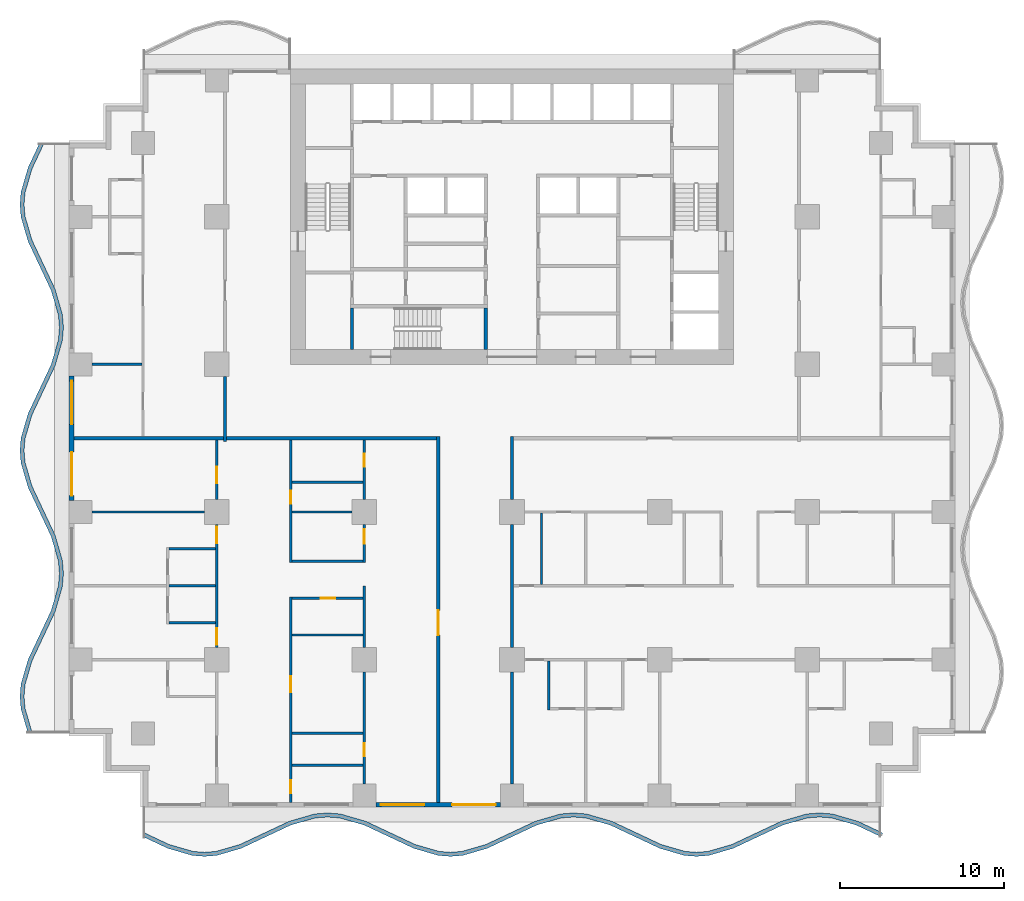
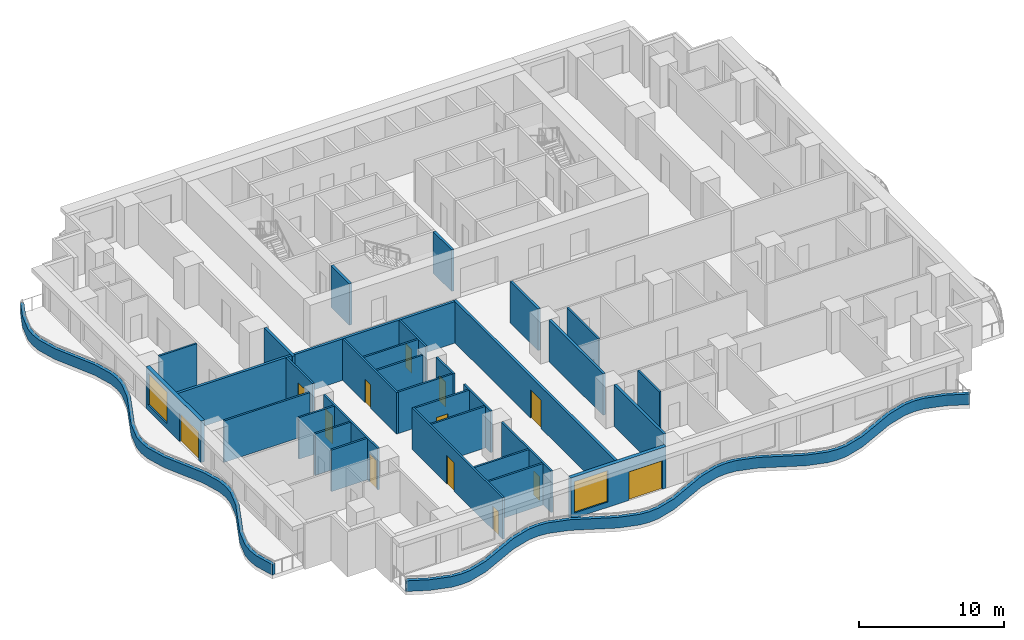
# One storey, part 2 of 14: 35 walls, 13 doors, 2 windows, 15 openings.
"""IFC4 building model written with IfcOpenShell, lengths in metres."""

from ifc_helpers import new_model, si_unit, direction, frame, frame_2d, origin, place, context, subcontext, project, spatial, polyline, rectangle, outline, extrude, material, layer, layer_set, type_object, element, fill, save


model = new_model("IFC4")

# Units and contexts
model_context = context("Model", 3, precision=1e-05, world=origin(), true_north=direction((0.0, 1.0)))
body_context = subcontext(model_context, "Body", "Model", "MODEL_VIEW")
ifc_project = project(units=[si_unit("LENGTHUNIT", "METRE"), si_unit("AREAUNIT", "SQUARE_METRE"), si_unit("VOLUMEUNIT", "CUBIC_METRE"), si_unit("PLANEANGLEUNIT", "RADIAN"), si_unit("MASSUNIT", "GRAM", prefix="KILO")], contexts=[model_context])

# Site, building, storey
site_placement = place(None, origin())
site = spatial("IfcSite", under=ifc_project, at=site_placement, CompositionType="ELEMENT")
building_placement = place(site_placement, origin())
building = spatial("IfcBuilding", under=site, at=building_placement, Name="Orbiselva Terraces", CompositionType="ELEMENT")
storey_placement = place(building_placement, frame((0.0, 0.0, 45.4)))
storey = spatial("IfcBuildingStorey", under=building, at=storey_placement, Name="L11", CompositionType="ELEMENT", Elevation=45.4)

# Walls
ifc_material_1 = material(Name="Concrete C60/75", Category="concrete")
ifc_layer_1 = layer(ifc_material_1, 0.2)
ifc_layer_set_1 = layer_set([ifc_layer_1], Name="Concrete C60/75")
wall_type_1 = type_object("IfcWallType", Name="CORE-WALL-SHEAR-200", PredefinedType="SHEAR", material=ifc_layer_set_1)
for number, where, z_axis, x_axis, name in (
    (1, (-9.75, 5.4, 0.0), (0.0, 0.0, 1.0), (0.0, 1.0, 0.0), "L11 core wall 03"),
    (2, (-1.6, 5.4, 0.0), (0.0, 0.0, 1.0), (0.0, 1.0, 0.0), "L11 core wall 23"),
):
    element("IfcWall", number, at=place(storey_placement, frame(where, z_axis=z_axis, x_axis=x_axis)), inside=storey, type_object=wall_type_1, Name=name, PredefinedType="SHEAR", context=body_context, shape_type="SweptSolid", body=[
        extrude(rectangle(XDim=2.55, YDim=0.2, at=frame_2d((1.275, 0.0))), origin(), (0.0, 0.0, 1.0), 3.5),
    ])
ifc_material_2 = material(Name="Concrete C40/50", Category="concrete")
ifc_layer_2 = layer(ifc_material_2, 0.25)
ifc_layer_set_2 = layer_set([ifc_layer_2], Name="Concrete C40/50")
wall_type_2 = type_object("IfcWallType", Name="ENV-PLANTER-250x900", PredefinedType="USERDEFINED", material=ifc_layer_set_2)
wall_1_placement = place(storey_placement, origin())
element("IfcWall", 3, at=wall_1_placement, inside=storey, type_object=wall_type_2, Name="Balcony planter L11 S", ObjectType="PLANTER", PredefinedType="USERDEFINED", context=body_context, shape_type="SweptSolid", body=[
    extrude(outline(polyline([(-22.5, -24.3), (-21.0, -25.005342), (-19.5, -25.441268), (-18.75, -25.5), (-18.0, -25.441268), (-16.5, -25.005342), (-15.0, -24.3), (-13.5, -23.594658), (-12.0, -23.158732), (-11.25, -23.1), (-10.5, -23.158732), (-9.0, -23.594658), (-7.5, -24.3), (-6.0, -25.005342), (-4.5, -25.441268), (-3.75, -25.5), (-3.0, -25.441268), (-1.5, -25.005342), (0.0, -24.3), (1.5, -23.594658), (3.0, -23.158732), (3.75, -23.1), (4.5, -23.158732), (6.0, -23.594658), (7.5, -24.3), (9.0, -25.005342), (10.5, -25.441268), (11.25, -25.5), (12.0, -25.441268), (13.5, -25.005342), (15.0, -24.3), (16.5, -23.594658), (18.0, -23.158732), (18.75, -23.1), (19.5, -23.158732), (21.0, -23.594658), (22.5, -24.3), (22.606383, -24.073764), (21.088618, -23.360069), (19.545114, -22.911499), (18.75, -22.849235), (17.954886, -22.911499), (16.411382, -23.360069), (14.893617, -24.073764), (13.411382, -24.770753), (11.954886, -25.194035), (11.25, -25.249235), (10.545114, -25.194035), (9.088618, -24.770753), (7.606383, -24.073764), (6.088618, -23.360069), (4.545114, -22.911499), (3.75, -22.849235), (2.954886, -22.911499), (1.411382, -23.360069), (-0.106383, -24.073764), (-1.588618, -24.770753), (-3.045114, -25.194035), (-3.75, -25.249235), (-4.454886, -25.194035), (-5.911382, -24.770753), (-7.393617, -24.073764), (-8.911382, -23.360069), (-10.454886, -22.911499), (-11.25, -22.849235), (-12.045114, -22.911499), (-13.588618, -23.360069), (-15.106383, -24.073764), (-16.588618, -24.770753), (-18.045114, -25.194035), (-18.75, -25.249235), (-19.454886, -25.194035), (-20.911382, -24.770753), (-22.393617, -24.073764), (-22.5, -24.3)])), origin(), (0.0, 0.0, 1.0), 0.9),
])
wall_2_placement = place(storey_placement, origin())
element("IfcWall", 4, at=wall_2_placement, inside=storey, type_object=wall_type_2, Name="Balcony planter L11 W", ObjectType="PLANTER", PredefinedType="USERDEFINED", context=body_context, shape_type="SweptSolid", body=[
    extrude(outline(polyline([(-28.8, 18.0), (-29.505342, 16.5), (-29.941268, 15.0), (-30.0, 14.25), (-29.941268, 13.5), (-29.505342, 12.0), (-28.8, 10.5), (-28.094658, 9.0), (-27.658732, 7.5), (-27.6, 6.75), (-27.658732, 6.0), (-28.094658, 4.5), (-28.8, 3.0), (-29.505342, 1.5), (-29.941268, 0.0), (-30.0, -0.75), (-29.941268, -1.5), (-29.505342, -3.0), (-28.8, -4.5), (-28.094658, -6.0), (-27.658732, -7.5), (-27.6, -8.25), (-27.658732, -9.0), (-28.094658, -10.5), (-28.8, -12.0), (-29.505342, -13.5), (-29.941268, -15.0), (-30.0, -15.75), (-29.941268, -16.5), (-29.505342, -18.0), (-29.265274, -17.930232), (-29.694035, -16.454886), (-29.749235, -15.75), (-29.694035, -15.045114), (-29.270753, -13.588618), (-28.573764, -12.106383), (-27.860069, -10.588618), (-27.411499, -9.045114), (-27.349235, -8.25), (-27.411499, -7.454886), (-27.860069, -5.911382), (-28.573764, -4.393617), (-29.270753, -2.911382), (-29.694035, -1.454886), (-29.749235, -0.75), (-29.694035, -0.045114), (-29.270753, 1.411382), (-28.573764, 2.893617), (-27.860069, 4.411382), (-27.411499, 5.954886), (-27.349235, 6.75), (-27.411499, 7.545114), (-27.860069, 9.088618), (-28.573764, 10.606383), (-29.270753, 12.088618), (-29.694035, 13.545114), (-29.749235, 14.25), (-29.694035, 14.954886), (-29.270753, 16.411382), (-28.573764, 17.893617), (-28.8, 18.0)])), origin(), (0.0, 0.0, 1.0), 0.9),
])

# Wall, openings, door, window
ifc_material_3 = material(Name="Terracotta cladding on masonry backing", Category="masonry")
ifc_layer_3 = layer(ifc_material_3, 0.3)
ifc_layer_set_3 = layer_set([ifc_layer_3], Name="Terracotta cladding on masonry backing")
wall_type_3 = type_object("IfcWallType", Name="ENV-WALL-TERRACOTTA-300", PredefinedType="SOLIDWALL", material=ifc_layer_set_3)
wall_3_placement = place(storey_placement, frame((-0.7, -22.35, 0.0), z_axis=(0.0, 0.0, 1.0), x_axis=(-1.0, 0.0, 0.0)))
wall_3 = element("IfcWall", 5, at=wall_3_placement, inside=storey, type_object=wall_type_3, Name="Facade wall L11 S", PredefinedType="SOLIDWALL", context=body_context, shape_type="SweptSolid", body=[
    extrude(rectangle(XDim=7.6, YDim=0.3, at=frame_2d((3.8, 0.0))), origin(), (0.0, 0.0, 1.0), 3.5),
])
opening_1_placement = place(wall_3_placement, frame((4.65, 0.0, 0.45)))
opening_1 = element("IfcOpeningElement", 6, at=opening_1_placement, cuts=wall_3, Name="Opening WN3", PredefinedType="OPENING", context=body_context, shape_type="SweptSolid", body=[
    extrude(rectangle(XDim=2.65, YDim=2.65, at=frame_2d((1.325, 1.325))), frame((0.0, 0.16, 0.0), z_axis=(0.0, -1.0, 0.0), x_axis=(1.0, 0.0, 0.0)), (0.0, 0.0, 1.0), 0.32),
])
opening_2_placement = place(wall_3_placement, frame((0.3, 0.0, 0.0)))
opening_2 = element("IfcOpeningElement", 7, at=opening_2_placement, cuts=wall_3, Name="Opening Z1-C-E14", PredefinedType="OPENING", context=body_context, shape_type="SweptSolid", body=[
    extrude(rectangle(XDim=2.65, YDim=2.4, at=frame_2d((1.325, 1.2))), frame((0.0, 0.16, 0.0), z_axis=(0.0, -1.0, 0.0), x_axis=(1.0, 0.0, 0.0)), (0.0, 0.0, 1.0), 0.32),
])
ifc_material_4 = material(Name="Clear low-e glazing in aluminium frame", Category="aluminium")
door_type_1 = type_object("IfcDoorType", Name="BALCONY DOOR 2650 X 2400", OperationType="DOUBLE_DOOR_SLIDING", PredefinedType="DOOR", material=ifc_material_4)
door_1_placement = place(opening_2_placement, origin())
door_1 = element("IfcDoor", 8, at=door_1_placement, inside=storey, type_object=door_type_1, Name="Z1-C-E14", OperationType="SINGLE_SWING_LEFT", OverallHeight=2.4, OverallWidth=2.65, PredefinedType="DOOR", context=body_context, shape_type="SweptSolid", body=[
    extrude(rectangle(XDim=2.65, YDim=2.4, at=frame_2d((1.325, 1.2))), frame((0.0, 0.025, 0.0), z_axis=(0.0, -1.0, 0.0), x_axis=(1.0, 0.0, 0.0)), (0.0, 0.0, 1.0), 0.05),
])
fill(opening_2, door_1)
window_type = type_object("IfcWindowType", Name="WINDOW 2650 X 2650 S450", PartitioningType="TRIPLE_PANEL_VERTICAL", PredefinedType="WINDOW", material=ifc_material_4)
window_1_placement = place(opening_1_placement, origin())
window_1 = element("IfcWindow", 9, at=window_1_placement, inside=storey, type_object=window_type, Name="Window L11 S", OverallHeight=2.65, OverallWidth=2.65, PartitioningType="SINGLE_PANEL", PredefinedType="WINDOW", context=body_context, shape_type="SweptSolid", body=[
    extrude(rectangle(XDim=2.65, YDim=2.65, at=frame_2d((1.325, 1.325))), frame((0.0, 0.03, 0.0), z_axis=(0.0, -1.0, 0.0), x_axis=(1.0, 0.0, 0.0)), (0.0, 0.0, 1.0), 0.06),
])
fill(opening_1, window_1)

wall_4_placement = place(storey_placement, frame((-26.85, -3.8, 0.0), z_axis=(0.0, 0.0, 1.0), x_axis=(0.0, 1.0, 0.0)))
wall_4 = element("IfcWall", 10, at=wall_4_placement, inside=storey, type_object=wall_type_3, Name="Facade wall L11 W", PredefinedType="SOLIDWALL", context=body_context, shape_type="SweptSolid", body=[
    extrude(rectangle(XDim=7.6, YDim=0.3, at=frame_2d((3.8, 0.0))), origin(), (0.0, 0.0, 1.0), 3.5),
])
opening_3_placement = place(wall_4_placement, frame((4.65, 0.0, 0.45)))
opening_3 = element("IfcOpeningElement", 11, at=opening_3_placement, cuts=wall_4, Name="Opening WN3", PredefinedType="OPENING", context=body_context, shape_type="SweptSolid", body=[
    extrude(rectangle(XDim=2.65, YDim=2.65, at=frame_2d((1.325, 1.325))), frame((0.0, 0.16, 0.0), z_axis=(0.0, -1.0, 0.0), x_axis=(1.0, 0.0, 0.0)), (0.0, 0.0, 1.0), 0.32),
])
opening_4_placement = place(wall_4_placement, frame((0.3, 0.0, 0.0)))
opening_4 = element("IfcOpeningElement", 12, at=opening_4_placement, cuts=wall_4, Name="Opening Z1-C-E23", PredefinedType="OPENING", context=body_context, shape_type="SweptSolid", body=[
    extrude(rectangle(XDim=2.65, YDim=2.4, at=frame_2d((1.325, 1.2))), frame((0.0, 0.16, 0.0), z_axis=(0.0, -1.0, 0.0), x_axis=(1.0, 0.0, 0.0)), (0.0, 0.0, 1.0), 0.32),
])
door_2_placement = place(opening_4_placement, origin())
door_2 = element("IfcDoor", 13, at=door_2_placement, inside=storey, type_object=door_type_1, Name="Z1-C-E23", OperationType="SINGLE_SWING_LEFT", OverallHeight=2.4, OverallWidth=2.65, PredefinedType="DOOR", context=body_context, shape_type="SweptSolid", body=[
    extrude(rectangle(XDim=2.65, YDim=2.4, at=frame_2d((1.325, 1.2))), frame((0.0, 0.025, 0.0), z_axis=(0.0, -1.0, 0.0), x_axis=(1.0, 0.0, 0.0)), (0.0, 0.0, 1.0), 0.05),
])
fill(opening_4, door_2)
window_2_placement = place(opening_3_placement, origin())
window_2 = element("IfcWindow", 14, at=window_2_placement, inside=storey, type_object=window_type, Name="Window L11 W", OverallHeight=2.65, OverallWidth=2.65, PartitioningType="SINGLE_PANEL", PredefinedType="WINDOW", context=body_context, shape_type="SweptSolid", body=[
    extrude(rectangle(XDim=2.65, YDim=2.65, at=frame_2d((1.325, 1.325))), frame((0.0, 0.03, 0.0), z_axis=(0.0, -1.0, 0.0), x_axis=(1.0, 0.0, 0.0)), (0.0, 0.0, 1.0), 0.06),
])
fill(opening_3, window_2)

# Walls
ifc_material_5 = material(Name="Plasterboard on steel stud partition", Category="steel")
ifc_layer_4 = layer(ifc_material_5, 0.2)
ifc_layer_set_4 = layer_set([ifc_layer_4], Name="Plasterboard on steel stud partition")
wall_type_4 = type_object("IfcWallType", Name="UNIT-ENTRANCE-WALL-200", PredefinedType="PARTITIONING", material=ifc_layer_set_4)
wall_5_placement = place(storey_placement, frame((-17.4, 0.0, 0.0), z_axis=(0.0, 0.0, 1.0), x_axis=(1.0, 0.0, 0.0)))
element("IfcWall", 15, at=wall_5_placement, inside=storey, type_object=wall_type_4, Name="PARTITION L11-027", PredefinedType="PARTITIONING", context=body_context, shape_type="SweptSolid", body=[
    extrude(rectangle(XDim=12.8, YDim=0.2, at=frame_2d((6.4, 0.0))), origin(), (0.0, 0.0, 1.0), 3.5),
])
wall_6_placement = place(storey_placement, frame((-17.5, -0.2, 0.0), z_axis=(0.0, 0.0, 1.0), x_axis=(0.0, 1.0, 0.0)))
element("IfcWall", 16, at=wall_6_placement, inside=storey, type_object=wall_type_4, Name="PARTITION L11-048", PredefinedType="PARTITIONING", context=body_context, shape_type="SweptSolid", body=[
    extrude(rectangle(XDim=3.95, YDim=0.2, at=frame_2d((1.975, 0.0))), origin(), (0.0, 0.0, 1.0), 3.5),
])

# Wall, opening, door
wall_7_placement = place(storey_placement, frame((-4.5, -22.2, 0.0), z_axis=(0.0, 0.0, 1.0), x_axis=(0.0, 1.0, 0.0)))
wall_7 = element("IfcWall", 17, at=wall_7_placement, inside=storey, type_object=wall_type_4, Name="PARTITION L11-057", PredefinedType="PARTITIONING", context=body_context, shape_type="SweptSolid", body=[
    extrude(rectangle(XDim=22.3, YDim=0.2, at=frame_2d((11.15, 0.0))), origin(), (0.0, 0.0, 1.0), 3.5),
])
opening_5_placement = place(wall_7_placement, frame((10.2, 0.0, 0.0)))
opening_5 = element("IfcOpeningElement", 18, at=opening_5_placement, cuts=wall_7, Name="Opening Z1-C-13", PredefinedType="OPENING", context=body_context, shape_type="SweptSolid", body=[
    extrude(rectangle(XDim=1.5, YDim=2.4, at=frame_2d((0.75, 1.2))), frame((0.0, 0.11, 0.0), z_axis=(0.0, -1.0, 0.0), x_axis=(1.0, 0.0, 0.0)), (0.0, 0.0, 1.0), 0.22),
])
ifc_material_6 = material(Name="Painted timber door leaf", Category="wood")
door_type_2 = type_object("IfcDoorType", Name="ENTRANCE DOUBLE DOOR 1500", OperationType="NOTDEFINED", PredefinedType="DOOR", material=ifc_material_6)
door_3_placement = place(opening_5_placement, origin())
door_3 = element("IfcDoor", 19, at=door_3_placement, inside=storey, type_object=door_type_2, Name="Z1-C-13", OperationType="DOUBLE_DOOR_SINGLE_SWING", OverallHeight=2.4, OverallWidth=1.5, PredefinedType="DOOR", context=body_context, shape_type="SweptSolid", body=[
    extrude(rectangle(XDim=1.5, YDim=2.4, at=frame_2d((0.75, 1.2))), frame((0.0, 0.025, 0.0), z_axis=(0.0, -1.0, 0.0), x_axis=(1.0, 0.0, 0.0)), (0.0, 0.0, 1.0), 0.05),
])
fill(opening_5, door_3)

# Walls
wall_8_placement = place(storey_placement, frame((0.0, -21.1, 0.0), z_axis=(0.0, 0.0, 1.0), x_axis=(0.0, 1.0, 0.0)))
element("IfcWall", 20, at=wall_8_placement, inside=storey, type_object=wall_type_4, Name="PARTITION L11-058", PredefinedType="PARTITIONING", context=body_context, shape_type="SweptSolid", body=[
    extrude(rectangle(XDim=6.85, YDim=0.2, at=frame_2d((3.425, 0.0))), origin(), (0.0, 0.0, 1.0), 3.5),
])
wall_9_placement = place(storey_placement, frame((0.0, -12.75, 0.0), z_axis=(0.0, 0.0, 1.0), x_axis=(0.0, 1.0, 0.0)))
element("IfcWall", 21, at=wall_9_placement, inside=storey, type_object=wall_type_4, Name="PARTITION L11-059", PredefinedType="PARTITIONING", context=body_context, shape_type="SweptSolid", body=[
    extrude(rectangle(XDim=7.5, YDim=0.2, at=frame_2d((3.75, 0.0))), origin(), (0.0, 0.0, 1.0), 3.5),
])
wall_10_placement = place(storey_placement, frame((0.0, -3.75, 0.0), z_axis=(0.0, 0.0, 1.0), x_axis=(0.0, 1.0, 0.0)))
element("IfcWall", 22, at=wall_10_placement, inside=storey, type_object=wall_type_4, Name="PARTITION L11-060", PredefinedType="PARTITIONING", context=body_context, shape_type="SweptSolid", body=[
    extrude(rectangle(XDim=3.85, YDim=0.2, at=frame_2d((1.925, 0.0))), origin(), (0.0, 0.0, 1.0), 3.5),
])
ifc_layer_5 = layer(ifc_material_5, 0.15)
ifc_layer_set_5 = layer_set([ifc_layer_5], Name="Plasterboard on steel stud partition")
wall_type_5 = type_object("IfcWallType", Name="UNIT-PARTITION-150", PredefinedType="PARTITIONING", material=ifc_layer_set_5)
for number, where, z_axis, x_axis, name in (
    (23, (-13.425, -19.95, 0.0), (0.0, 0.0, 1.0), (1.0, 0.0, 0.0), "PARTITION L11-001"),
    (24, (-13.425, -18.0, 0.0), (0.0, 0.0, 1.0), (1.0, 0.0, 0.0), "PARTITION L11-002"),
    (25, (-13.425, -12.0, 0.0), (0.0, 0.0, 1.0), (1.0, 0.0, 0.0), "PARTITION L11-011"),
):
    element("IfcWall", number, at=place(storey_placement, frame(where, z_axis=z_axis, x_axis=x_axis)), inside=storey, type_object=wall_type_5, Name=name, PredefinedType="PARTITIONING", context=body_context, shape_type="SweptSolid", body=[
        extrude(rectangle(XDim=4.35, YDim=0.15, at=frame_2d((2.175, 0.0))), origin(), (0.0, 0.0, 1.0), 3.5),
    ])
wall_11_placement = place(storey_placement, frame((-20.925, -11.25, 0.0), z_axis=(0.0, 0.0, 1.0), x_axis=(1.0, 0.0, 0.0)))
element("IfcWall", 26, at=wall_11_placement, inside=storey, type_object=wall_type_5, Name="PARTITION L11-012", PredefinedType="PARTITIONING", context=body_context, shape_type="SweptSolid", body=[
    extrude(rectangle(XDim=2.85, YDim=0.15, at=frame_2d((1.425, 0.0))), origin(), (0.0, 0.0, 1.0), 3.5),
])

# Wall, opening, door
wall_12_placement = place(storey_placement, frame((-9.075, -9.75, 0.0), z_axis=(0.0, 0.0, 1.0), x_axis=(-1.0, 0.0, 0.0)))
wall_12 = element("IfcWall", 27, at=wall_12_placement, inside=storey, type_object=wall_type_5, Name="PARTITION L11-013", PredefinedType="PARTITIONING", context=body_context, shape_type="SweptSolid", body=[
    extrude(rectangle(XDim=4.35, YDim=0.15, at=frame_2d((2.175, 0.0))), origin(), (0.0, 0.0, 1.0), 3.5),
])
opening_6_placement = place(wall_12_placement, frame((1.7, 0.0, 0.0)))
opening_6 = element("IfcOpeningElement", 28, at=opening_6_placement, cuts=wall_12, Name="Opening Z1-C-17", PredefinedType="OPENING", context=body_context, shape_type="SweptSolid", body=[
    extrude(rectangle(XDim=0.9, YDim=2.1, at=frame_2d((0.45, 1.05))), frame((0.0, 0.085, 0.0), z_axis=(0.0, -1.0, 0.0), x_axis=(1.0, 0.0, 0.0)), (0.0, 0.0, 1.0), 0.17),
])
door_type_3 = type_object("IfcDoorType", Name="BATH DOOR 900", OperationType="NOTDEFINED", PredefinedType="DOOR", material=ifc_material_6)
door_4_placement = place(opening_6_placement, origin())
door_4 = element("IfcDoor", 29, at=door_4_placement, inside=storey, type_object=door_type_3, Name="Z1-C-17", OperationType="SINGLE_SWING_LEFT", OverallHeight=2.1, OverallWidth=0.9, PredefinedType="DOOR", context=body_context, shape_type="SweptSolid", body=[
    extrude(rectangle(XDim=0.9, YDim=2.1, at=frame_2d((0.45, 1.05))), frame((0.0, 0.025, 0.0), z_axis=(0.0, -1.0, 0.0), x_axis=(1.0, 0.0, 0.0)), (0.0, 0.0, 1.0), 0.05),
])
fill(opening_6, door_4)

# Walls
wall_13_placement = place(storey_placement, frame((-20.925, -9.0, 0.0), z_axis=(0.0, 0.0, 1.0), x_axis=(1.0, 0.0, 0.0)))
element("IfcWall", 30, at=wall_13_placement, inside=storey, type_object=wall_type_5, Name="PARTITION L11-015", PredefinedType="PARTITIONING", context=body_context, shape_type="SweptSolid", body=[
    extrude(rectangle(XDim=2.85, YDim=0.15, at=frame_2d((1.425, 0.0))), origin(), (0.0, 0.0, 1.0), 3.5),
])
wall_14_placement = place(storey_placement, frame((-13.425, -7.5, 0.0), z_axis=(0.0, 0.0, 1.0), x_axis=(1.0, 0.0, 0.0)))
element("IfcWall", 31, at=wall_14_placement, inside=storey, type_object=wall_type_5, Name="PARTITION L11-018", PredefinedType="PARTITIONING", context=body_context, shape_type="SweptSolid", body=[
    extrude(rectangle(XDim=4.35, YDim=0.15, at=frame_2d((2.175, 0.0))), origin(), (0.0, 0.0, 1.0), 3.5),
])
wall_15_placement = place(storey_placement, frame((-20.925, -6.75, 0.0), z_axis=(0.0, 0.0, 1.0), x_axis=(1.0, 0.0, 0.0)))
element("IfcWall", 32, at=wall_15_placement, inside=storey, type_object=wall_type_5, Name="PARTITION L11-019", PredefinedType="PARTITIONING", context=body_context, shape_type="SweptSolid", body=[
    extrude(rectangle(XDim=2.85, YDim=0.15, at=frame_2d((1.425, 0.0))), origin(), (0.0, 0.0, 1.0), 3.5),
])
wall_16_placement = place(storey_placement, frame((-25.6, -4.5, 0.0), z_axis=(0.0, 0.0, 1.0), x_axis=(1.0, 0.0, 0.0)))
element("IfcWall", 33, at=wall_16_placement, inside=storey, type_object=wall_type_5, Name="PARTITION L11-020", PredefinedType="PARTITIONING", context=body_context, shape_type="SweptSolid", body=[
    extrude(rectangle(XDim=6.85, YDim=0.15, at=frame_2d((3.425, 0.0))), origin(), (0.0, 0.0, 1.0), 3.5),
])
wall_17_placement = place(storey_placement, frame((-13.425, -4.5, 0.0), z_axis=(0.0, 0.0, 1.0), x_axis=(1.0, 0.0, 0.0)))
element("IfcWall", 34, at=wall_17_placement, inside=storey, type_object=wall_type_5, Name="PARTITION L11-021", PredefinedType="PARTITIONING", context=body_context, shape_type="SweptSolid", body=[
    extrude(rectangle(XDim=3.675, YDim=0.15, at=frame_2d((1.8375, 0.0))), origin(), (0.0, 0.0, 1.0), 3.5),
])
wall_18_placement = place(storey_placement, frame((-13.425, -2.7, 0.0), z_axis=(0.0, 0.0, 1.0), x_axis=(1.0, 0.0, 0.0)))
element("IfcWall", 35, at=wall_18_placement, inside=storey, type_object=wall_type_5, Name="PARTITION L11-026", PredefinedType="PARTITIONING", context=body_context, shape_type="SweptSolid", body=[
    extrude(rectangle(XDim=4.35, YDim=0.15, at=frame_2d((2.175, 0.0))), origin(), (0.0, 0.0, 1.0), 3.5),
])
wall_19_placement = place(storey_placement, frame((-25.6, 4.5, 0.0), z_axis=(0.0, 0.0, 1.0), x_axis=(1.0, 0.0, 0.0)))
element("IfcWall", 36, at=wall_19_placement, inside=storey, type_object=wall_type_5, Name="PARTITION L11-031", PredefinedType="PARTITIONING", context=body_context, shape_type="SweptSolid", body=[
    extrude(rectangle(XDim=3.025, YDim=0.15, at=frame_2d((1.5125, 0.0))), origin(), (0.0, 0.0, 1.0), 3.5),
])

# Wall, openings, doors
wall_20_placement = place(storey_placement, frame((-18.0, -12.75, 0.0), z_axis=(0.0, 0.0, 1.0), x_axis=(0.0, 1.0, 0.0)))
wall_20 = element("IfcWall", 37, at=wall_20_placement, inside=storey, type_object=wall_type_5, Name="PARTITION L11-046", PredefinedType="PARTITIONING", context=body_context, shape_type="SweptSolid", body=[
    extrude(rectangle(XDim=7.5, YDim=0.15, at=frame_2d((3.75, 0.0))), origin(), (0.0, 0.0, 1.0), 3.5),
])
opening_7_placement = place(wall_20_placement, frame((0.15, 0.0, 0.0)))
opening_7 = element("IfcOpeningElement", 38, at=opening_7_placement, cuts=wall_20, Name="Opening Z1-C-23", PredefinedType="OPENING", context=body_context, shape_type="SweptSolid", body=[
    extrude(rectangle(XDim=1.0, YDim=2.4, at=frame_2d((0.5, 1.2))), frame((0.0, 0.085, 0.0), z_axis=(0.0, -1.0, 0.0), x_axis=(1.0, 0.0, 0.0)), (0.0, 0.0, 1.0), 0.17),
])
opening_8_placement = place(wall_20_placement, frame((6.35, 0.0, 0.0)))
opening_8 = element("IfcOpeningElement", 39, at=opening_8_placement, cuts=wall_20, Name="Opening Z1-C-25", PredefinedType="OPENING", context=body_context, shape_type="SweptSolid", body=[
    extrude(rectangle(XDim=1.0, YDim=2.4, at=frame_2d((0.5, 1.2))), frame((0.0, 0.085, 0.0), z_axis=(0.0, -1.0, 0.0), x_axis=(1.0, 0.0, 0.0)), (0.0, 0.0, 1.0), 0.17),
])
door_type_4 = type_object("IfcDoorType", Name="ROOM DOOR 1000", OperationType="NOTDEFINED", PredefinedType="DOOR", material=ifc_material_6)
door_5_placement = place(opening_7_placement, origin())
door_5 = element("IfcDoor", 40, at=door_5_placement, inside=storey, type_object=door_type_4, Name="Z1-C-23", OperationType="SINGLE_SWING_LEFT", OverallHeight=2.4, OverallWidth=1.0, PredefinedType="DOOR", context=body_context, shape_type="SweptSolid", body=[
    extrude(rectangle(XDim=1.0, YDim=2.4, at=frame_2d((0.5, 1.2))), frame((0.0, 0.025, 0.0), z_axis=(0.0, -1.0, 0.0), x_axis=(1.0, 0.0, 0.0)), (0.0, 0.0, 1.0), 0.05),
])
fill(opening_7, door_5)
door_6_placement = place(opening_8_placement, origin())
door_6 = element("IfcDoor", 41, at=door_6_placement, inside=storey, type_object=door_type_4, Name="Z1-C-25", OperationType="SINGLE_SWING_RIGHT", OverallHeight=2.4, OverallWidth=1.0, PredefinedType="DOOR", context=body_context, shape_type="SweptSolid", body=[
    extrude(rectangle(XDim=1.0, YDim=2.4, at=frame_2d((0.5, 1.2))), frame((0.0, 0.025, 0.0), z_axis=(0.0, -1.0, 0.0), x_axis=(1.0, 0.0, 0.0)), (0.0, 0.0, 1.0), 0.05),
])
fill(opening_8, door_6)

# Wall, opening, door
wall_21_placement = place(storey_placement, frame((-18.0, -3.75, 0.0), z_axis=(0.0, 0.0, 1.0), x_axis=(0.0, 1.0, 0.0)))
wall_21 = element("IfcWall", 42, at=wall_21_placement, inside=storey, type_object=wall_type_5, Name="PARTITION L11-047", PredefinedType="PARTITIONING", context=body_context, shape_type="SweptSolid", body=[
    extrude(rectangle(XDim=3.65, YDim=0.15, at=frame_2d((1.825, 0.0))), origin(), (0.0, 0.0, 1.0), 3.5),
])
opening_9_placement = place(wall_21_placement, frame((1.0, 0.0, 0.0)))
opening_9 = element("IfcOpeningElement", 43, at=opening_9_placement, cuts=wall_21, Name="Opening Z1-C-27", PredefinedType="OPENING", context=body_context, shape_type="SweptSolid", body=[
    extrude(rectangle(XDim=1.0, YDim=2.4, at=frame_2d((0.5, 1.2))), frame((0.0, 0.085, 0.0), z_axis=(0.0, -1.0, 0.0), x_axis=(1.0, 0.0, 0.0)), (0.0, 0.0, 1.0), 0.17),
])
door_7_placement = place(opening_9_placement, origin())
door_7 = element("IfcDoor", 44, at=door_7_placement, inside=storey, type_object=door_type_4, Name="Z1-C-27", OperationType="SINGLE_SWING_LEFT", OverallHeight=2.4, OverallWidth=1.0, PredefinedType="DOOR", context=body_context, shape_type="SweptSolid", body=[
    extrude(rectangle(XDim=1.0, YDim=2.4, at=frame_2d((0.5, 1.2))), frame((0.0, 0.025, 0.0), z_axis=(0.0, -1.0, 0.0), x_axis=(1.0, 0.0, 0.0)), (0.0, 0.0, 1.0), 0.05),
])
fill(opening_9, door_7)

# Wall, openings, doors
wall_22_placement = place(storey_placement, frame((-13.5, -9.675, 0.0), z_axis=(0.0, 0.0, 1.0), x_axis=(0.0, -1.0, 0.0)))
wall_22 = element("IfcWall", 45, at=wall_22_placement, inside=storey, type_object=wall_type_5, Name="PARTITION L11-051", PredefinedType="PARTITIONING", context=body_context, shape_type="SweptSolid", body=[
    extrude(rectangle(XDim=12.525, YDim=0.15, at=frame_2d((6.2625, 0.0))), origin(), (0.0, 0.0, 1.0), 3.5),
])
opening_10_placement = place(wall_22_placement, frame((11.175, 0.0, 0.0)))
opening_10 = element("IfcOpeningElement", 46, at=opening_10_placement, cuts=wall_22, Name="Opening Z1-C-14", PredefinedType="OPENING", context=body_context, shape_type="SweptSolid", body=[
    extrude(rectangle(XDim=0.8, YDim=2.0, at=frame_2d((0.4, 1.0))), frame((0.0, 0.085, 0.0), z_axis=(0.0, -1.0, 0.0), x_axis=(1.0, 0.0, 0.0)), (0.0, 0.0, 1.0), 0.17),
])
opening_11_placement = place(wall_22_placement, frame((4.825, 0.0, 0.0)))
opening_11 = element("IfcOpeningElement", 47, at=opening_11_placement, cuts=wall_22, Name="Opening Z1-C-16", PredefinedType="OPENING", context=body_context, shape_type="SweptSolid", body=[
    extrude(rectangle(XDim=1.0, YDim=2.4, at=frame_2d((0.5, 1.2))), frame((0.0, 0.085, 0.0), z_axis=(0.0, -1.0, 0.0), x_axis=(1.0, 0.0, 0.0)), (0.0, 0.0, 1.0), 0.17),
])
door_8_placement = place(opening_11_placement, origin())
door_8 = element("IfcDoor", 48, at=door_8_placement, inside=storey, type_object=door_type_4, Name="Z1-C-16", OperationType="SINGLE_SWING_LEFT", OverallHeight=2.4, OverallWidth=1.0, PredefinedType="DOOR", context=body_context, shape_type="SweptSolid", body=[
    extrude(rectangle(XDim=1.0, YDim=2.4, at=frame_2d((0.5, 1.2))), frame((0.0, 0.025, 0.0), z_axis=(0.0, -1.0, 0.0), x_axis=(1.0, 0.0, 0.0)), (0.0, 0.0, 1.0), 0.05),
])
fill(opening_11, door_8)
door_type_5 = type_object("IfcDoorType", Name="STORE DOOR 800", OperationType="NOTDEFINED", PredefinedType="DOOR", material=ifc_material_6)
door_9_placement = place(opening_10_placement, origin())
door_9 = element("IfcDoor", 49, at=door_9_placement, inside=storey, type_object=door_type_5, Name="Z1-C-14", OperationType="SINGLE_SWING_RIGHT", OverallHeight=2.0, OverallWidth=0.8, PredefinedType="DOOR", context=body_context, shape_type="SweptSolid", body=[
    extrude(rectangle(XDim=0.8, YDim=2.0, at=frame_2d((0.4, 1.0))), frame((0.0, 0.025, 0.0), z_axis=(0.0, -1.0, 0.0), x_axis=(1.0, 0.0, 0.0)), (0.0, 0.0, 1.0), 0.05),
])
fill(opening_10, door_9)

# Wall, opening, door
wall_23_placement = place(storey_placement, frame((-13.5, -0.1, 0.0), z_axis=(0.0, 0.0, 1.0), x_axis=(0.0, -1.0, 0.0)))
wall_23 = element("IfcWall", 50, at=wall_23_placement, inside=storey, type_object=wall_type_5, Name="PARTITION L11-052", PredefinedType="PARTITIONING", context=body_context, shape_type="SweptSolid", body=[
    extrude(rectangle(XDim=7.475, YDim=0.15, at=frame_2d((3.7375, 0.0))), origin(), (0.0, 0.0, 1.0), 3.5),
])
opening_12_placement = place(wall_23_placement, frame((3.1, 0.0, 0.0)))
opening_12 = element("IfcOpeningElement", 51, at=opening_12_placement, cuts=wall_23, Name="Opening Z1-C-19", PredefinedType="OPENING", context=body_context, shape_type="SweptSolid", body=[
    extrude(rectangle(XDim=0.8, YDim=2.0, at=frame_2d((0.4, 1.0))), frame((0.0, 0.085, 0.0), z_axis=(0.0, -1.0, 0.0), x_axis=(1.0, 0.0, 0.0)), (0.0, 0.0, 1.0), 0.17),
])
door_10_placement = place(opening_12_placement, origin())
door_10 = element("IfcDoor", 52, at=door_10_placement, inside=storey, type_object=door_type_5, Name="Z1-C-19", OperationType="SINGLE_SWING_LEFT", OverallHeight=2.0, OverallWidth=0.8, PredefinedType="DOOR", context=body_context, shape_type="SweptSolid", body=[
    extrude(rectangle(XDim=0.8, YDim=2.0, at=frame_2d((0.4, 1.0))), frame((0.0, 0.025, 0.0), z_axis=(0.0, -1.0, 0.0), x_axis=(1.0, 0.0, 0.0)), (0.0, 0.0, 1.0), 0.05),
])
fill(opening_12, door_10)

wall_24_placement = place(storey_placement, frame((-9.0, -21.1, 0.0), z_axis=(0.0, 0.0, 1.0), x_axis=(0.0, 1.0, 0.0)))
wall_24 = element("IfcWall", 53, at=wall_24_placement, inside=storey, type_object=wall_type_5, Name="PARTITION L11-053", PredefinedType="PARTITIONING", context=body_context, shape_type="SweptSolid", body=[
    extrude(rectangle(XDim=6.85, YDim=0.15, at=frame_2d((3.425, 0.0))), origin(), (0.0, 0.0, 1.0), 3.5),
])
opening_13_placement = place(wall_24_placement, frame((1.7, 0.0, 0.0)))
opening_13 = element("IfcOpeningElement", 54, at=opening_13_placement, cuts=wall_24, Name="Opening Z1-C-15", PredefinedType="OPENING", context=body_context, shape_type="SweptSolid", body=[
    extrude(rectangle(XDim=0.8, YDim=2.0, at=frame_2d((0.4, 1.0))), frame((0.0, 0.085, 0.0), z_axis=(0.0, -1.0, 0.0), x_axis=(1.0, 0.0, 0.0)), (0.0, 0.0, 1.0), 0.17),
])
door_11_placement = place(opening_13_placement, origin())
door_11 = element("IfcDoor", 55, at=door_11_placement, inside=storey, type_object=door_type_5, Name="Z1-C-15", OperationType="SINGLE_SWING_LEFT", OverallHeight=2.0, OverallWidth=0.8, PredefinedType="DOOR", context=body_context, shape_type="SweptSolid", body=[
    extrude(rectangle(XDim=0.8, YDim=2.0, at=frame_2d((0.4, 1.0))), frame((0.0, 0.025, 0.0), z_axis=(0.0, -1.0, 0.0), x_axis=(1.0, 0.0, 0.0)), (0.0, 0.0, 1.0), 0.05),
])
fill(opening_13, door_11)

# Wall
wall_25_placement = place(storey_placement, frame((-9.0, -12.75, 0.0), z_axis=(0.0, 0.0, 1.0), x_axis=(0.0, 1.0, 0.0)))
element("IfcWall", 56, at=wall_25_placement, inside=storey, type_object=wall_type_5, Name="PARTITION L11-054", PredefinedType="PARTITIONING", context=body_context, shape_type="SweptSolid", body=[
    extrude(rectangle(XDim=3.75, YDim=0.15, at=frame_2d((1.875, 0.0))), origin(), (0.0, 0.0, 1.0), 3.5),
])

# Wall, opening, door
wall_26_placement = place(storey_placement, frame((-9.0, -7.575, 0.0), z_axis=(0.0, 0.0, 1.0), x_axis=(0.0, 1.0, 0.0)))
wall_26 = element("IfcWall", 57, at=wall_26_placement, inside=storey, type_object=wall_type_5, Name="PARTITION L11-055", PredefinedType="PARTITIONING", context=body_context, shape_type="SweptSolid", body=[
    extrude(rectangle(XDim=2.325, YDim=0.15, at=frame_2d((1.1625, 0.0))), origin(), (0.0, 0.0, 1.0), 3.5),
])
opening_14_placement = place(wall_26_placement, frame((1.125, 0.0, 0.0)))
opening_14 = element("IfcOpeningElement", 58, at=opening_14_placement, cuts=wall_26, Name="Opening Z1-C-18", PredefinedType="OPENING", context=body_context, shape_type="SweptSolid", body=[
    extrude(rectangle(XDim=0.9, YDim=2.1, at=frame_2d((0.45, 1.05))), frame((0.0, 0.085, 0.0), z_axis=(0.0, -1.0, 0.0), x_axis=(1.0, 0.0, 0.0)), (0.0, 0.0, 1.0), 0.17),
])
door_type_6 = type_object("IfcDoorType", Name="SERVICE DOOR 900", OperationType="NOTDEFINED", PredefinedType="DOOR", material=ifc_material_6)
door_12_placement = place(opening_14_placement, origin())
door_12 = element("IfcDoor", 59, at=door_12_placement, inside=storey, type_object=door_type_6, Name="Z1-C-18", OperationType="SINGLE_SWING_RIGHT", OverallHeight=2.1, OverallWidth=0.9, PredefinedType="DOOR", context=body_context, shape_type="SweptSolid", body=[
    extrude(rectangle(XDim=0.9, YDim=2.1, at=frame_2d((0.45, 1.05))), frame((0.0, 0.025, 0.0), z_axis=(0.0, -1.0, 0.0), x_axis=(1.0, 0.0, 0.0)), (0.0, 0.0, 1.0), 0.05),
])
fill(opening_14, door_12)

wall_27_placement = place(storey_placement, frame((-9.0, -3.75, 0.0), z_axis=(0.0, 0.0, 1.0), x_axis=(0.0, 1.0, 0.0)))
wall_27 = element("IfcWall", 60, at=wall_27_placement, inside=storey, type_object=wall_type_5, Name="PARTITION L11-056", PredefinedType="PARTITIONING", context=body_context, shape_type="SweptSolid", body=[
    extrude(rectangle(XDim=3.65, YDim=0.15, at=frame_2d((1.825, 0.0))), origin(), (0.0, 0.0, 1.0), 3.5),
])
opening_15_placement = place(wall_27_placement, frame((2.0, 0.0, 0.0)))
opening_15 = element("IfcOpeningElement", 61, at=opening_15_placement, cuts=wall_27, Name="Opening Z1-C-20", PredefinedType="OPENING", context=body_context, shape_type="SweptSolid", body=[
    extrude(rectangle(XDim=0.8, YDim=2.0, at=frame_2d((0.4, 1.0))), frame((0.0, 0.085, 0.0), z_axis=(0.0, -1.0, 0.0), x_axis=(1.0, 0.0, 0.0)), (0.0, 0.0, 1.0), 0.17),
])
door_13_placement = place(opening_15_placement, origin())
door_13 = element("IfcDoor", 62, at=door_13_placement, inside=storey, type_object=door_type_5, Name="Z1-C-20", OperationType="SINGLE_SWING_RIGHT", OverallHeight=2.0, OverallWidth=0.8, PredefinedType="DOOR", context=body_context, shape_type="SweptSolid", body=[
    extrude(rectangle(XDim=0.8, YDim=2.0, at=frame_2d((0.4, 1.0))), frame((0.0, 0.025, 0.0), z_axis=(0.0, -1.0, 0.0), x_axis=(1.0, 0.0, 0.0)), (0.0, 0.0, 1.0), 0.05),
])
fill(opening_15, door_13)

# Walls
wall_28_placement = place(storey_placement, frame((1.8, -8.925, 0.0), z_axis=(0.0, 0.0, 1.0), x_axis=(0.0, 1.0, 0.0)))
element("IfcWall", 63, at=wall_28_placement, inside=storey, type_object=wall_type_5, Name="PARTITION L11-061", PredefinedType="PARTITIONING", context=body_context, shape_type="SweptSolid", body=[
    extrude(rectangle(XDim=4.35, YDim=0.15, at=frame_2d((2.175, 0.0))), origin(), (0.0, 0.0, 1.0), 3.5),
])
wall_29_placement = place(storey_placement, frame((2.25, -16.575, 0.0), z_axis=(0.0, 0.0, 1.0), x_axis=(0.0, 1.0, 0.0)))
element("IfcWall", 64, at=wall_29_placement, inside=storey, type_object=wall_type_5, Name="PARTITION L11-062", PredefinedType="PARTITIONING", context=body_context, shape_type="SweptSolid", body=[
    extrude(rectangle(XDim=3.0, YDim=0.15, at=frame_2d((1.5, 0.0))), origin(), (0.0, 0.0, 1.0), 3.5),
])
ifc_layer_6 = layer(ifc_material_5, 0.2)
ifc_layer_set_6 = layer_set([ifc_layer_6], Name="Plasterboard on steel stud partition")
wall_type_6 = type_object("IfcWallType", Name="UNIT-PARTY-WALL-200", PredefinedType="PARTITIONING", material=ifc_layer_set_6)
wall_30_placement = place(storey_placement, frame((-26.7, 0.0, 0.0), z_axis=(0.0, 0.0, 1.0), x_axis=(1.0, 0.0, 0.0)))
element("IfcWall", 65, at=wall_30_placement, inside=storey, type_object=wall_type_6, Name="PARTITION L11-029", PredefinedType="PARTITIONING", context=body_context, shape_type="SweptSolid", body=[
    extrude(rectangle(XDim=9.1, YDim=0.2, at=frame_2d((4.55, 0.0))), origin(), (0.0, 0.0, 1.0), 3.5),
])

save(model, "model.ifc")
